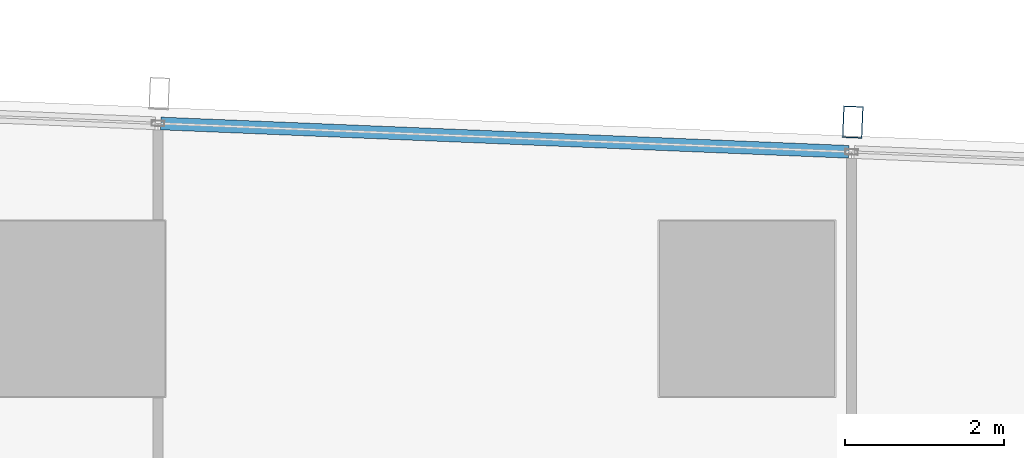
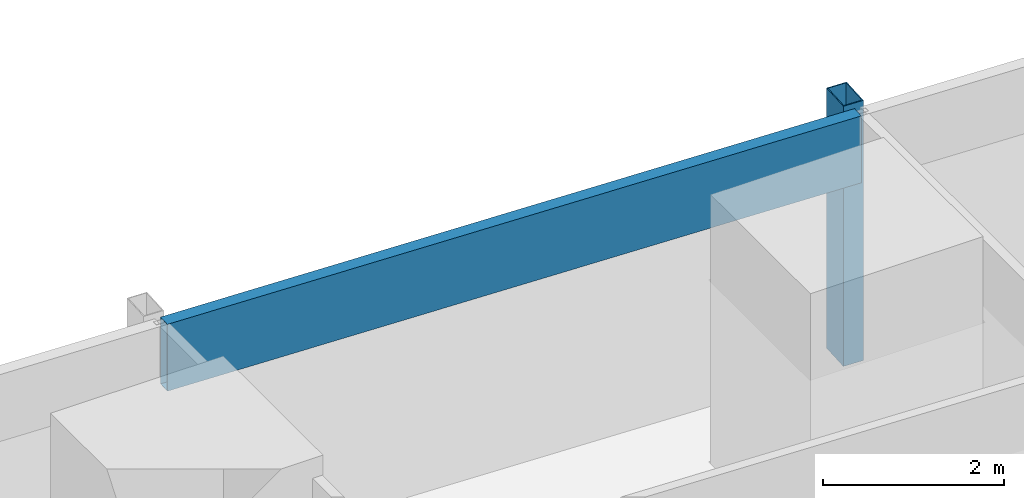
# One storey, part 24 of 44: 2 members, 1 element without a shape of its own.
"""IFC4 building model written with IfcOpenShell, lengths in metres."""

from ifc_helpers import new_model, si_unit, direction, frame, origin, origin_2d, place, context, subcontext, project, spatial, hollow_rectangle, extrude, material, material_profile, profile_set, type_object, element, aggregate, save


model = new_model("IFC4")

# Units and contexts
model_context = context("Model", 3, precision=1e-05, world=origin(), true_north=direction((0.0, 1.0)))
body_context = subcontext(model_context, "Body", "Model", "MODEL_VIEW")
ifc_project = project(units=[si_unit("LENGTHUNIT", "METRE"), si_unit("AREAUNIT", "SQUARE_METRE"), si_unit("VOLUMEUNIT", "CUBIC_METRE"), si_unit("PLANEANGLEUNIT", "RADIAN"), si_unit("MASSUNIT", "GRAM", prefix="KILO")], contexts=[model_context])

# Site, building, storey
site_placement = place(None, origin())
site = spatial("IfcSite", under=ifc_project, at=site_placement, CompositionType="ELEMENT")
building_placement = place(site_placement, origin())
building = spatial("IfcBuilding", under=site, at=building_placement, Name="Rekha Terrace Tower", CompositionType="ELEMENT")
storey_placement = place(building_placement, frame((0.0, 0.0, 66.64990234375)))
storey = spatial("IfcBuildingStorey", under=building, at=storey_placement, Name="L16", CompositionType="ELEMENT", Elevation=66.64990234375)

# Curtain wall, members
ifc_material_1 = material(Name="Aluminium framing", Category="aluminium")
curtain_wall_type = type_object("IfcCurtainWallType", Name="CW3 north unitised glazing", PredefinedType="USERDEFINED", material=ifc_material_1)
curtain_wall_placement = place(storey_placement, origin())
curtain_wall = element("IfcCurtainWall", 1, at=curtain_wall_placement, inside=storey, type_object=curtain_wall_type, Name="CW3 unitised curtain wall", ObjectType="UNITISED CURTAIN WALL", PredefinedType="USERDEFINED")
ifc_material_2 = material(Name="Steel S355 with fluorocarbon finish", Category="steel")
ifc_material_profile_1 = material_profile(ifc_material_2, hollow_rectangle(XDim=0.25, YDim=0.39990234375, WallThickness=0.012451171875, at=origin_2d()), Name="RHS400x250x12.5")
ifc_profile_set_1 = profile_set([ifc_material_profile_1], Name="Steel S355 with fluorocarbon finish")
member_type_1 = type_object("IfcMemberType", Name="BL1 facade blade RHS 400 x 250", PredefinedType="USERDEFINED", material=ifc_profile_set_1)
member_1_placement = place(storey_placement, frame((60.126953125, 61.140869140625, 0.0), z_axis=(0.0, 0.0, 1.0), x_axis=(-0.99915196507, 0.041174636562, 0.0)))
member_1 = element("IfcMember", 2, at=member_1_placement, type_object=member_type_1, Name="Facade blade", ObjectType="FACADE BLADE", PredefinedType="USERDEFINED", context=body_context, shape_type="SweptSolid", body=[
    extrude(hollow_rectangle(XDim=0.25, YDim=0.39990234375, WallThickness=0.012451171875, at=origin_2d()), origin(), (0.0, 0.0, 1.0), 3.5),
])
ifc_material_3 = material(Name="Insulated aluminium spandrel box", Category="aluminium")
ifc_material_profile_2 = material_profile(ifc_material_3, hollow_rectangle(XDim=0.159912109375, YDim=0.89990234375, WallThickness=0.0029296875, at=origin_2d()), Name="AL SPANDREL BOX 160x900")
ifc_profile_set_2 = profile_set([ifc_material_profile_2], Name="Insulated aluminium spandrel box")
member_type_2 = type_object("IfcMemberType", Name="CW3 spandrel transom 160 x 900", PredefinedType="USERDEFINED", material=ifc_profile_set_2)
member_2_placement = place(storey_placement, frame((60.07666015625, 60.767578125, 3.050048828125), z_axis=(-0.999152128669, 0.041170666459, 0.0), x_axis=(-0.041170666459, -0.999152128669, 0.0)))
member_2 = element("IfcMember", 3, at=member_2_placement, type_object=member_type_2, Name="CW3 spandrel transom 2", ObjectType="TRANSOM", PredefinedType="USERDEFINED", context=body_context, shape_type="SweptSolid", body=[
    extrude(hollow_rectangle(XDim=0.159912109375, YDim=0.89990234375, WallThickness=0.0029296875, at=origin_2d()), origin(), (0.0, 0.0, 1.0), 8.634033203125),
])
aggregate(curtain_wall, [member_2, member_1])

save(model, "model.ifc")
